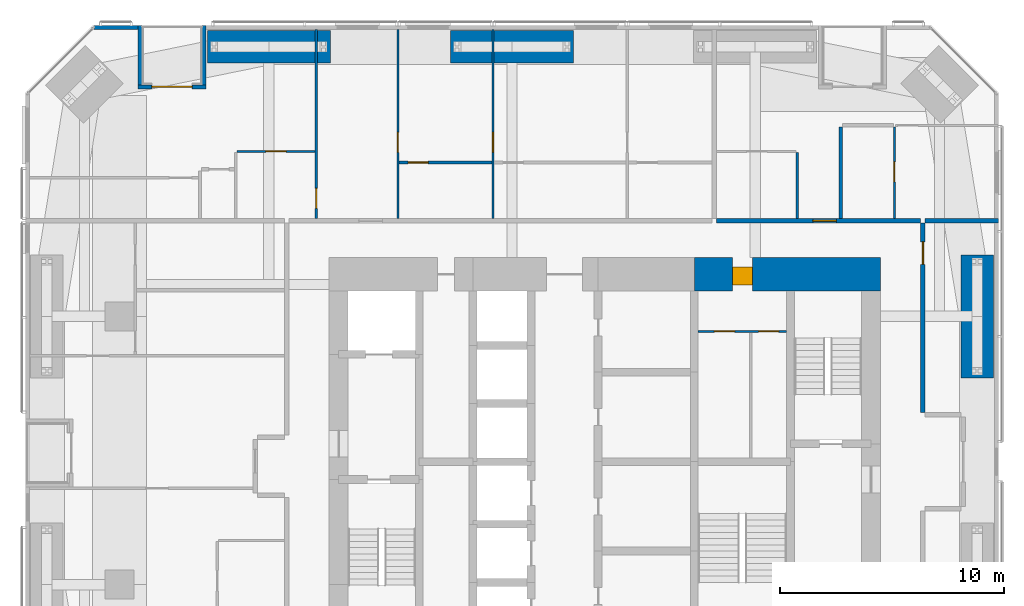
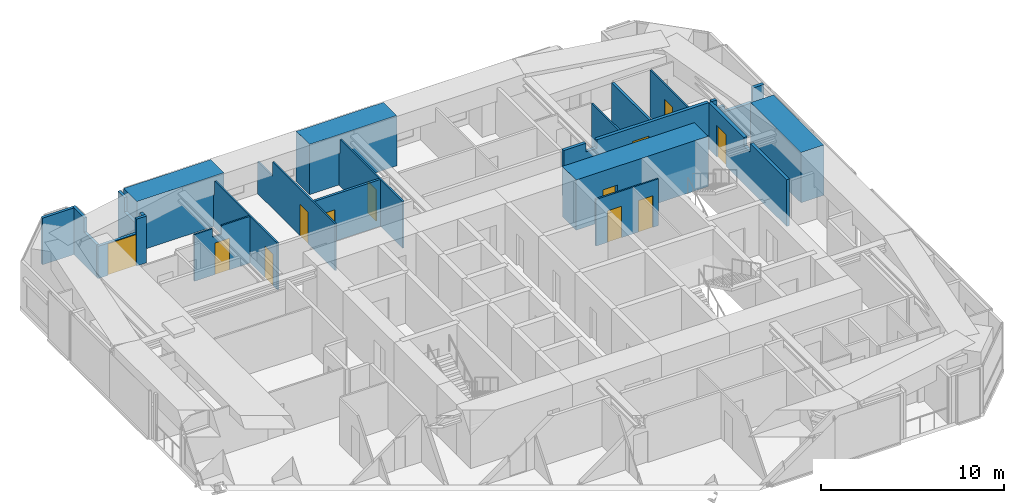
# One storey, part 21 of 23: 21 walls, 12 doors, 12 openings.
"""IFC4 building model written with IfcOpenShell, lengths in metres."""

from ifc_helpers import new_model, si_unit, direction, frame, frame_2d, origin, place, context, subcontext, project, spatial, polyline, rectangle, outline, extrude, material, layer, layer_set, constituent, constituent_set, type_object, element, fill, save


model = new_model("IFC4")

# Units and contexts
model_context = context("Model", 3, precision=1e-05, world=origin(), true_north=direction((0.0, 1.0)))
body_context = subcontext(model_context, "Body", "Model", "MODEL_VIEW")
ifc_project = project(units=[si_unit("LENGTHUNIT", "METRE"), si_unit("AREAUNIT", "SQUARE_METRE"), si_unit("VOLUMEUNIT", "CUBIC_METRE"), si_unit("PLANEANGLEUNIT", "RADIAN"), si_unit("MASSUNIT", "GRAM", prefix="KILO")], contexts=[model_context])

# Site, building, storey
site_placement = place(None, origin())
site = spatial("IfcSite", under=ifc_project, at=site_placement, CompositionType="ELEMENT")
building_placement = place(site_placement, origin())
building = spatial("IfcBuilding", under=site, at=building_placement, Name="Jalousie Tower", CompositionType="ELEMENT")
storey_placement = place(building_placement, frame((0.0, 0.0, 121.60009765625)))
storey = spatial("IfcBuildingStorey", under=building, at=storey_placement, Name="L33", CompositionType="ELEMENT", Elevation=121.60009765625)

# Wall, opening, door
ifc_material_1 = material(Name="Concrete block ASTM C90", Category="concrete")
ifc_constituent_1 = constituent(ifc_material_1, Name="Body")
ifc_material_2 = material(Name="Render")
ifc_constituent_2 = constituent(ifc_material_2, Name="Finish")
ifc_constituent_set_1 = constituent_set(constituents=[ifc_constituent_1, ifc_constituent_2])
wall_type_1 = type_object("IfcWallType", Name="BATHROOM WALL 150", PredefinedType="PLUMBINGWALL", material=ifc_constituent_set_1)
wall_1_placement = place(storey_placement, frame((22.699951171875, 31.875, 0.0), z_axis=(0.0, 0.0, 1.0), x_axis=(1.0, 0.0, 0.0)))
wall_1 = element("IfcWall", 1, at=wall_1_placement, inside=storey, type_object=wall_type_1, Name="Bathroom Wall 150 L33", PredefinedType="PLUMBINGWALL", context=body_context, shape_type="SweptSolid", body=[
    extrude(rectangle(XDim=4.150146484375, YDim=0.14990234375, at=frame_2d((2.0751953125, 0.0))), origin(), (0.0, 0.0, 1.0), 3.10986328125),
])
opening_1_placement = place(wall_1_placement, frame((0.39990234375, 0.0, 0.0)))
opening_1 = element("IfcOpeningElement", 2, at=opening_1_placement, cuts=wall_1, Name="Opening D3", PredefinedType="OPENING", context=body_context, shape_type="SweptSolid", body=[
    extrude(rectangle(XDim=0.89990234375, YDim=2.10009765625, at=frame_2d((0.449951171875, 1.050048828125))), frame((0.0, 0.0849609375, 0.0), z_axis=(0.0, -1.0, 0.0), x_axis=(1.0, 0.0, 0.0)), (0.0, 0.0, 1.0), 0.169921875),
])
ifc_material_3 = material(Name="Timber door", Category="wood")
door_type_1 = type_object("IfcDoorType", Name="BATHROOM DOOR 900", OperationType="SINGLE_SWING_LEFT", PredefinedType="DOOR", material=ifc_material_3)
door_1_placement = place(opening_1_placement, frame((0.89990234375, 0.0, 0.0), z_axis=(0.0, 0.0, 1.0), x_axis=(-1.0, 0.0, 0.0)))
door_1 = element("IfcDoor", 3, at=door_1_placement, inside=storey, type_object=door_type_1, Name="Apartment 3303 bedroom 1 bathroom door", OperationType="SINGLE_SWING_RIGHT", OverallHeight=2.10009765625, OverallWidth=0.89990234375, PredefinedType="DOOR", context=body_context, shape_type="SweptSolid", body=[
    extrude(rectangle(XDim=0.89990234375, YDim=2.10009765625, at=frame_2d((0.449951171875, 1.050048828125))), frame((0.0, 0.02490234375, 0.0), z_axis=(0.0, -1.0, 0.0), x_axis=(1.0, 0.0, 0.0)), (0.0, 0.0, 1.0), 0.050048828125),
])
fill(opening_1, door_1)

# Wall
wall_2_placement = place(storey_placement, frame((42.449951171875, 33.461181640625, 0.0), z_axis=(0.0, 0.0, 1.0), x_axis=(0.0, -1.0, 0.0)))
element("IfcWall", 4, at=wall_2_placement, inside=storey, type_object=wall_type_1, Name="Bathroom Wall 150 L33", PredefinedType="PLUMBINGWALL", context=body_context, shape_type="SweptSolid", body=[
    extrude(rectangle(XDim=4.086181640625, YDim=0.14990234375, at=frame_2d((2.04296875, 0.0))), origin(), (0.0, 0.0, 1.0), 3.10986328125),
])

# Wall, opening, door
ifc_material_4 = material(Name="Concrete f'c 120 MPa", Category="concrete")
ifc_layer_1 = layer(ifc_material_4, 1.5)
ifc_layer_set_1 = layer_set([ifc_layer_1], Name="Concrete f'c 120 MPa")
wall_type_2 = type_object("IfcWallType", Name="CORE WALL 1500", PredefinedType="SHEAR", material=ifc_layer_set_1)
wall_3_placement = place(storey_placement, frame((44.22509765625, 26.875, 0.0), z_axis=(0.0, 0.0, 1.0), x_axis=(-1.0, 0.0, 0.0)))
wall_3 = element("IfcWall", 5, at=wall_3_placement, inside=storey, type_object=wall_type_2, Name="Core wall NA L33", PredefinedType="SHEAR", context=body_context, shape_type="SweptSolid", body=[
    extrude(rectangle(XDim=8.3251953125, YDim=1.5, at=frame_2d((4.16259765625, 0.0))), origin(), (0.0, 0.0, 1.0), 3.349853515625),
])
opening_2_placement = place(wall_3_placement, frame((5.72509765625, 0.0, 0.0)))
opening_2 = element("IfcOpeningElement", 6, at=opening_2_placement, cuts=wall_3, Name="Opening D25", PredefinedType="OPENING", context=body_context, shape_type="SweptSolid", body=[
    extrude(rectangle(XDim=0.89990234375, YDim=2.10009765625, at=frame_2d((0.449951171875, 1.050048828125))), frame((0.0, 0.760009765625, 0.0), z_axis=(0.0, -1.0, 0.0), x_axis=(1.0, 0.0, 0.0)), (0.0, 0.0, 1.0), 1.52001953125),
])
ifc_material_5 = material(Name="Steel fire door", Category="steel")
door_type_2 = type_object("IfcDoorType", Name="SERVICE LOBBY DOOR 900", OperationType="SINGLE_SWING_LEFT", PredefinedType="DOOR", material=ifc_material_5)
door_2_placement = place(opening_2_placement, origin())
door_2 = element("IfcDoor", 7, at=door_2_placement, inside=storey, type_object=door_type_2, Name="Service lobby door", OperationType="SINGLE_SWING_LEFT", OverallHeight=2.10009765625, OverallWidth=0.89990234375, PredefinedType="DOOR", context=body_context, shape_type="SweptSolid", body=[
    extrude(rectangle(XDim=0.89990234375, YDim=2.10009765625, at=frame_2d((0.449951171875, 1.050048828125))), frame((0.0, 0.47021484375, 0.0), z_axis=(0.0, -1.0, 0.0), x_axis=(1.0, 0.0, 0.0)), (0.0, 0.0, 1.0), 0.800048828125),
])
fill(opening_2, door_2)

ifc_material_6 = material(Name="Concrete block ASTM C90", Category="concrete")
ifc_constituent_3 = constituent(ifc_material_6, Name="Body")
ifc_material_7 = material(Name="Render")
ifc_constituent_4 = constituent(ifc_material_7, Name="Finish")
ifc_constituent_set_2 = constituent_set(constituents=[ifc_constituent_3, ifc_constituent_4])
wall_type_3 = type_object("IfcWallType", Name="CORRIDOR WALL 200", PredefinedType="PARTITIONING", material=ifc_constituent_set_2)
wall_4_placement = place(storey_placement, frame((36.89990234375, 29.27490234375, 0.0), z_axis=(0.0, 0.0, 1.0), x_axis=(1.0, 0.0, 0.0)))
wall_4 = element("IfcWall", 8, at=wall_4_placement, inside=storey, type_object=wall_type_3, Name="Corridor Wall 200 L33", PredefinedType="PARTITIONING", context=body_context, shape_type="SweptSolid", body=[
    extrude(outline(polyline([(0.0, 0.0), (9.125, 0.0), (9.125, 3.10986328125), (2.0625, 3.10986328125), (2.0625, 2.541015625), (1.3876953125, 2.541015625), (1.3876953125, 3.10986328125), (0.0, 3.10986328125), (0.0, 0.0)])), frame((0.0, 0.10009765625, 0.0), z_axis=(0.0, -1.0, 0.0), x_axis=(1.0, 0.0, 0.0)), (0.0, 0.0, 1.0), 0.199951171875),
])
opening_3_placement = place(wall_4_placement, frame((4.300048828125, 0.0, 0.0)))
opening_3 = element("IfcOpeningElement", 9, at=opening_3_placement, cuts=wall_4, Name="Opening D1", PredefinedType="OPENING", context=body_context, shape_type="SweptSolid", body=[
    extrude(rectangle(XDim=1.050048828125, YDim=2.199951171875, at=frame_2d((0.52490234375, 1.10009765625))), frame((0.0, 0.10986328125, 0.0), z_axis=(0.0, -1.0, 0.0), x_axis=(1.0, 0.0, 0.0)), (0.0, 0.0, 1.0), 0.219970703125),
])
ifc_material_8 = material(Name="Timber fire door", Category="wood")
door_type_3 = type_object("IfcDoorType", Name="APARTMENT ENTRANCE DOOR 1050", OperationType="SINGLE_SWING_LEFT", PredefinedType="DOOR", material=ifc_material_8)
door_3_placement = place(opening_3_placement, origin())
door_3 = element("IfcDoor", 10, at=door_3_placement, inside=storey, type_object=door_type_3, Name="Apartment 3304 entrance", OperationType="SINGLE_SWING_RIGHT", OverallHeight=2.199951171875, OverallWidth=1.050048828125, PredefinedType="DOOR", context=body_context, shape_type="SweptSolid", body=[
    extrude(rectangle(XDim=1.050048828125, YDim=2.199951171875, at=frame_2d((0.52490234375, 1.10009765625))), frame((0.0, 0.02490234375, 0.0), z_axis=(0.0, -1.0, 0.0), x_axis=(1.0, 0.0, 0.0)), (0.0, 0.0, 1.0), 0.050048828125),
])
fill(opening_3, door_3)

wall_5_placement = place(storey_placement, frame((46.125, 20.699951171875, 0.0), z_axis=(0.0, 0.0, 1.0), x_axis=(0.0, 1.0, 0.0)))
wall_5 = element("IfcWall", 11, at=wall_5_placement, inside=storey, type_object=wall_type_3, Name="Corridor Wall 200 L33", PredefinedType="PARTITIONING", context=body_context, shape_type="SweptSolid", body=[
    extrude(outline(polyline([(0.0, 0.0), (8.47509765625, 0.0), (8.47509765625, 3.10986328125), (4.63720703125, 3.10986328125), (4.63720703125, 2.541015625), (3.962646484375, 2.541015625), (3.962646484375, 3.10986328125), (0.0, 3.10986328125), (0.0, 0.0)])), frame((0.0, 0.10009765625, 0.0), z_axis=(0.0, -1.0, 0.0), x_axis=(1.0, 0.0, 0.0)), (0.0, 0.0, 1.0), 0.199951171875),
])
opening_4_placement = place(wall_5_placement, frame((6.625, 0.0, 0.0)))
opening_4 = element("IfcOpeningElement", 12, at=opening_4_placement, cuts=wall_5, Name="Opening D21", PredefinedType="OPENING", context=body_context, shape_type="SweptSolid", body=[
    extrude(rectangle(XDim=1.0, YDim=2.10009765625, at=frame_2d((0.5, 1.050048828125))), frame((0.0, 0.10986328125, 0.0), z_axis=(0.0, -1.0, 0.0), x_axis=(1.0, 0.0, 0.0)), (0.0, 0.0, 1.0), 0.219970703125),
])
ifc_material_9 = material(Name="Timber fire door", Category="wood")
door_type_4 = type_object("IfcDoorType", Name="CORRIDOR DOOR 1000", OperationType="SINGLE_SWING_LEFT", PredefinedType="DOOR", material=ifc_material_9)
door_4_placement = place(opening_4_placement, frame((1.0, 0.0, 0.0), z_axis=(0.0, 0.0, 1.0), x_axis=(-1.0, 0.0, 0.0)))
door_4 = element("IfcDoor", 13, at=door_4_placement, inside=storey, type_object=door_type_4, Name="Lounge second door", OperationType="SINGLE_SWING_LEFT", OverallHeight=2.10009765625, OverallWidth=1.0, PredefinedType="DOOR", context=body_context, shape_type="SweptSolid", body=[
    extrude(rectangle(XDim=1.0, YDim=2.10009765625, at=frame_2d((0.5, 1.050048828125))), frame((0.0, 0.02490234375, 0.0), z_axis=(0.0, -1.0, 0.0), x_axis=(1.0, 0.0, 0.0)), (0.0, 0.0, 1.0), 0.050048828125),
])
fill(opening_4, door_4)

# Walls
ifc_material_10 = material(Name="Concrete f'c 40 MPa", Category="concrete")
ifc_constituent_5 = constituent(ifc_material_10, Name="Body")
ifc_material_11 = material(Name="Render, pastel sea green")
ifc_constituent_6 = constituent(ifc_material_11, Name="Finish")
ifc_constituent_set_3 = constituent_set(constituents=[ifc_constituent_5, ifc_constituent_6])
wall_type_4 = type_object("IfcWallType", Name="EXTERNAL WALL 175 SEA GREEN RENDER", PredefinedType="SOLIDWALL", material=ifc_constituent_set_3)
wall_6_placement = place(storey_placement, frame((11.02490234375, 37.91259765625, 0.0), z_axis=(0.0, 0.0, 1.0), x_axis=(-1.0, 0.0, 0.0)))
element("IfcWall", 14, at=wall_6_placement, inside=storey, type_object=wall_type_4, Name="External Wall 175 Sea Green Render L33", PredefinedType="SOLIDWALL", context=body_context, shape_type="SweptSolid", body=[
    extrude(rectangle(XDim=1.9736328125, YDim=0.175048828125, at=frame_2d((0.98681640625, 0.0))), origin(), (0.0, 0.0, 1.0), 3.10986328125),
])
wall_7_placement = place(storey_placement, frame((14.074951171875, 35.262451171875, 0.0), z_axis=(0.0, 0.0, 1.0), x_axis=(-1.0, 0.0, 0.0)))
element("IfcWall", 15, at=wall_7_placement, inside=storey, type_object=wall_type_4, Name="External Wall 175 Sea Green Render L33-A", PredefinedType="SOLIDWALL", context=body_context, shape_type="SweptSolid", body=[
    extrude(rectangle(XDim=0.625, YDim=0.175048828125, at=frame_2d((0.3125, 0.0))), origin(), (0.0, 0.0, 1.0), 3.10986328125),
])

# Wall, opening, door
wall_8_placement = place(storey_placement, frame((13.449951171875, 35.262451171875, 0.0), z_axis=(0.0, 0.0, 1.0), x_axis=(-1.0, 0.0, 0.0)))
wall_8 = element("IfcWall", 16, at=wall_8_placement, inside=storey, type_object=wall_type_4, Name="External Wall 175 Sea Green Render L33-B", PredefinedType="SOLIDWALL", context=body_context, shape_type="SweptSolid", body=[
    extrude(rectangle(XDim=2.425048828125, YDim=0.175048828125, at=frame_2d((1.21240234375, 0.0))), origin(), (0.0, 0.0, 1.0), 2.14990234375),
])
opening_5_placement = place(wall_8_placement, origin())
opening_5 = element("IfcOpeningElement", 17, at=opening_5_placement, cuts=wall_8, Name="Opening D-BAL21", PredefinedType="OPENING", context=body_context, shape_type="SweptSolid", body=[
    extrude(rectangle(XDim=1.800048828125, YDim=2.10009765625, at=frame_2d((0.89990234375, 1.050048828125))), frame((0.0, 0.097412109375, 0.0), z_axis=(0.0, -1.0, 0.0), x_axis=(1.0, 0.0, 0.0)), (0.0, 0.0, 1.0), 0.195068359375),
])
ifc_material_12 = material(Name="Aluminium frame, impact-rated glazing", Category="aluminium")
door_type_5 = type_object("IfcDoorType", Name="BALCONY DOOR 1800x2100", OperationType="SLIDING_TO_LEFT", PredefinedType="DOOR", material=ifc_material_12)
door_5_placement = place(opening_5_placement, origin())
door_5 = element("IfcDoor", 18, at=door_5_placement, inside=storey, type_object=door_type_5, Name="Apartment 3303 living and dining room loggia door", OperationType="SLIDING_TO_LEFT", OverallHeight=2.10009765625, OverallWidth=1.800048828125, PredefinedType="DOOR", context=body_context, shape_type="SweptSolid", body=[
    extrude(rectangle(XDim=1.800048828125, YDim=2.10009765625, at=frame_2d((0.89990234375, 1.050048828125))), frame((0.0, 0.02490234375, 0.0), z_axis=(0.0, -1.0, 0.0), x_axis=(1.0, 0.0, 0.0)), (0.0, 0.0, 1.0), 0.050048828125),
])
fill(opening_5, door_5)

# Walls
wall_9_placement = place(storey_placement, frame((13.987548828125, 38.0, 0.0), z_axis=(0.0, 0.0, 1.0), x_axis=(0.0, -1.0, 0.0)))
element("IfcWall", 19, at=wall_9_placement, inside=storey, type_object=wall_type_4, Name="External Wall 175 Sea Green Render L33", PredefinedType="SOLIDWALL", context=body_context, shape_type="SweptSolid", body=[
    extrude(outline(polyline([(0.0, 0.0), (2.64990234375, 0.0), (2.64990234375, 3.10986328125), (2.373291015625, 3.10986328125), (2.373291015625, 2.14990234375), (0.70458984375, 2.14990234375), (0.70458984375, 3.10986328125), (0.0, 3.10986328125), (0.0, 0.0)])), frame((0.0, 0.08740234375, 0.0), z_axis=(0.0, -1.0, 0.0), x_axis=(1.0, 0.0, 0.0)), (0.0, 0.0, 1.0), 0.175048828125),
])
wall_10_placement = place(storey_placement, frame((11.112548828125, 38.0, 0.0), z_axis=(0.0, 0.0, 1.0), x_axis=(0.0, -1.0, 0.0)))
element("IfcWall", 20, at=wall_10_placement, inside=storey, type_object=wall_type_4, Name="External Wall 175 Sea Green Render L33", PredefinedType="SOLIDWALL", context=body_context, shape_type="SweptSolid", body=[
    extrude(outline(polyline([(0.0, 0.0), (2.64990234375, 0.0), (2.64990234375, 2.14990234375), (1.291015625, 2.14990234375), (1.291015625, 3.10986328125), (0.0, 3.10986328125), (0.0, 0.0)])), frame((0.0, 0.08740234375, 0.0), z_axis=(0.0, -1.0, 0.0), x_axis=(1.0, 0.0, 0.0)), (0.0, 0.0, 1.0), 0.175048828125),
])

# Wall, opening, door
ifc_material_13 = material(Name="Gypsum board", Category="gypsum")
ifc_constituent_7 = constituent(ifc_material_13, Name="Body")
ifc_material_14 = material(Name="Light-gauge steel studs ASTM A653 SS Grade 33", Category="steel")
ifc_constituent_8 = constituent(ifc_material_14, Name="Framing")
ifc_constituent_set_4 = constituent_set(constituents=[ifc_constituent_7, ifc_constituent_8])
wall_type_5 = type_object("IfcWallType", Name="PARTITION 100", PredefinedType="PARTITIONING", material=ifc_constituent_set_4)
wall_11_placement = place(storey_placement, frame((22.64990234375, 37.824951171875, 0.0), z_axis=(0.0, 0.0, 1.0), x_axis=(0.0, -1.0, 0.0)))
wall_11 = element("IfcWall", 21, at=wall_11_placement, inside=storey, type_object=wall_type_5, Name="Partition 100 L33", PredefinedType="PARTITIONING", context=body_context, shape_type="SweptSolid", body=[
    extrude(outline(polyline([(0.0, 0.0), (8.449951171875, 0.0), (8.449951171875, 3.10986328125), (1.635009765625, 3.10986328125), (1.635009765625, 2.14990234375), (0.0, 2.14990234375), (0.0, 3.10986328125), (0.0, 0.0)])), frame((0.0, 0.050048828125, 0.0), z_axis=(0.0, -1.0, 0.0), x_axis=(1.0, 0.0, 0.0)), (0.0, 0.0, 1.0), 0.10009765625),
])
opening_6_placement = place(wall_11_placement, frame((4.60009765625, 0.0, 0.0)))
opening_6 = element("IfcOpeningElement", 22, at=opening_6_placement, cuts=wall_11, Name="Opening D2", PredefinedType="OPENING", context=body_context, shape_type="SweptSolid", body=[
    extrude(rectangle(XDim=0.89990234375, YDim=2.10009765625, at=frame_2d((0.449951171875, 1.050048828125))), frame((0.0, 0.06005859375, 0.0), z_axis=(0.0, -1.0, 0.0), x_axis=(1.0, 0.0, 0.0)), (0.0, 0.0, 1.0), 0.1201171875),
])
ifc_material_15 = material(Name="Timber door", Category="wood")
door_type_6 = type_object("IfcDoorType", Name="BEDROOM DOOR 900", OperationType="SINGLE_SWING_LEFT", PredefinedType="DOOR", material=ifc_material_15)
door_6_placement = place(opening_6_placement, origin())
door_6 = element("IfcDoor", 23, at=door_6_placement, inside=storey, type_object=door_type_6, Name="Apartment 3303 bedroom 1 door", OperationType="SINGLE_SWING_RIGHT", OverallHeight=2.10009765625, OverallWidth=0.89990234375, PredefinedType="DOOR", context=body_context, shape_type="SweptSolid", body=[
    extrude(rectangle(XDim=0.89990234375, YDim=2.10009765625, at=frame_2d((0.449951171875, 1.050048828125))), frame((0.0, 0.02490234375, 0.0), z_axis=(0.0, -1.0, 0.0), x_axis=(1.0, 0.0, 0.0)), (0.0, 0.0, 1.0), 0.050048828125),
])
fill(opening_6, door_6)

wall_12_placement = place(storey_placement, frame((26.89990234375, 37.824951171875, 0.0), z_axis=(0.0, 0.0, 1.0), x_axis=(0.0, -1.0, 0.0)))
wall_12 = element("IfcWall", 24, at=wall_12_placement, inside=storey, type_object=wall_type_5, Name="Partition 100 L33", PredefinedType="PARTITIONING", context=body_context, shape_type="SweptSolid", body=[
    extrude(outline(polyline([(0.52880859375, 2.14990234375), (0.0, 2.14990234375), (0.0, 0.0), (0.52880859375, 0.0), (0.52880859375, 0.888671875), (1.021240234375, 0.888671875), (1.021240234375, 0.0), (8.449951171875, 0.0), (8.449951171875, 3.10986328125), (1.635009765625, 3.10986328125), (1.635009765625, 2.14990234375), (1.021240234375, 2.14990234375), (1.021240234375, 1.260986328125), (0.52880859375, 1.260986328125), (0.52880859375, 2.14990234375)])), frame((0.0, 0.050048828125, 0.0), z_axis=(0.0, -1.0, 0.0), x_axis=(1.0, 0.0, 0.0)), (0.0, 0.0, 1.0), 0.10009765625),
])
opening_7_placement = place(wall_12_placement, frame((4.60009765625, 0.0, 0.0)))
opening_7 = element("IfcOpeningElement", 25, at=opening_7_placement, cuts=wall_12, Name="Opening D2", PredefinedType="OPENING", context=body_context, shape_type="SweptSolid", body=[
    extrude(rectangle(XDim=0.89990234375, YDim=2.10009765625, at=frame_2d((0.449951171875, 1.050048828125))), frame((0.0, 0.06005859375, 0.0), z_axis=(0.0, -1.0, 0.0), x_axis=(1.0, 0.0, 0.0)), (0.0, 0.0, 1.0), 0.1201171875),
])
door_7_placement = place(opening_7_placement, origin())
door_7 = element("IfcDoor", 26, at=door_7_placement, inside=storey, type_object=door_type_6, Name="Apartment 3303 bedroom 2 door", OperationType="SINGLE_SWING_RIGHT", OverallHeight=2.10009765625, OverallWidth=0.89990234375, PredefinedType="DOOR", context=body_context, shape_type="SweptSolid", body=[
    extrude(rectangle(XDim=0.89990234375, YDim=2.10009765625, at=frame_2d((0.449951171875, 1.050048828125))), frame((0.0, 0.02490234375, 0.0), z_axis=(0.0, -1.0, 0.0), x_axis=(1.0, 0.0, 0.0)), (0.0, 0.0, 1.0), 0.050048828125),
])
fill(opening_7, door_7)

wall_13_placement = place(storey_placement, frame((19.0, 37.824951171875, 0.0), z_axis=(0.0, 0.0, 1.0), x_axis=(0.0, -1.0, 0.0)))
wall_13 = element("IfcWall", 27, at=wall_13_placement, inside=storey, type_object=wall_type_5, Name="Partition 100 L33", PredefinedType="PARTITIONING", context=body_context, shape_type="SweptSolid", body=[
    extrude(outline(polyline([(0.52880859375, 2.14990234375), (0.0, 2.14990234375), (0.0, 0.0), (0.52880859375, 0.0), (0.52880859375, 0.01708984375), (1.021240234375, 0.01708984375), (1.021240234375, 0.0), (8.449951171875, 0.0), (8.449951171875, 3.10986328125), (1.635009765625, 3.10986328125), (1.635009765625, 2.14990234375), (1.021240234375, 2.14990234375), (1.021240234375, 2.1328125), (0.52880859375, 2.1328125), (0.52880859375, 2.14990234375)])), frame((0.0, 0.050048828125, 0.0), z_axis=(0.0, -1.0, 0.0), x_axis=(1.0, 0.0, 0.0)), (0.0, 0.0, 1.0), 0.10009765625),
])
opening_8_placement = place(wall_13_placement, frame((7.10009765625, 0.0, 0.0)))
opening_8 = element("IfcOpeningElement", 28, at=opening_8_placement, cuts=wall_13, Name="Opening D2", PredefinedType="OPENING", context=body_context, shape_type="SweptSolid", body=[
    extrude(rectangle(XDim=0.89990234375, YDim=2.10009765625, at=frame_2d((0.449951171875, 1.050048828125))), frame((0.0, 0.06005859375, 0.0), z_axis=(0.0, -1.0, 0.0), x_axis=(1.0, 0.0, 0.0)), (0.0, 0.0, 1.0), 0.1201171875),
])
door_8_placement = place(opening_8_placement, origin())
door_8 = element("IfcDoor", 29, at=door_8_placement, inside=storey, type_object=door_type_6, Name="Apartment 3303 study door", OperationType="SINGLE_SWING_RIGHT", OverallHeight=2.10009765625, OverallWidth=0.89990234375, PredefinedType="DOOR", context=body_context, shape_type="SweptSolid", body=[
    extrude(rectangle(XDim=0.89990234375, YDim=2.10009765625, at=frame_2d((0.449951171875, 1.050048828125))), frame((0.0, 0.02490234375, 0.0), z_axis=(0.0, -1.0, 0.0), x_axis=(1.0, 0.0, 0.0)), (0.0, 0.0, 1.0), 0.050048828125),
])
fill(opening_8, door_8)

wall_14_placement = place(storey_placement, frame((15.449951171875, 32.375, 0.0), z_axis=(0.0, 0.0, 1.0), x_axis=(1.0, 0.0, 0.0)))
wall_14 = element("IfcWall", 30, at=wall_14_placement, inside=storey, type_object=wall_type_5, Name="Partition 100 L33", PredefinedType="PARTITIONING", context=body_context, shape_type="SweptSolid", body=[
    extrude(outline(polyline([(0.0, 0.0), (3.5, 0.0), (3.5, 3.10986328125), (1.71240234375, 3.10986328125), (1.71240234375, 2.541015625), (1.1376953125, 2.541015625), (1.1376953125, 3.10986328125), (0.0, 3.10986328125), (0.0, 0.0)])), frame((0.0, 0.050048828125, 0.0), z_axis=(0.0, -1.0, 0.0), x_axis=(1.0, 0.0, 0.0)), (0.0, 0.0, 1.0), 0.10009765625),
])
opening_9_placement = place(wall_14_placement, frame((1.300048828125, 0.0, 0.0)))
opening_9 = element("IfcOpeningElement", 31, at=opening_9_placement, cuts=wall_14, Name="Opening D7", PredefinedType="OPENING", context=body_context, shape_type="SweptSolid", body=[
    extrude(rectangle(XDim=0.89990234375, YDim=2.10009765625, at=frame_2d((0.449951171875, 1.050048828125))), frame((0.0, 0.06005859375, 0.0), z_axis=(0.0, -1.0, 0.0), x_axis=(1.0, 0.0, 0.0)), (0.0, 0.0, 1.0), 0.1201171875),
])
ifc_material_16 = material(Name="Timber door", Category="wood")
door_type_7 = type_object("IfcDoorType", Name="INTERNAL DOOR 900", OperationType="SINGLE_SWING_LEFT", PredefinedType="DOOR", material=ifc_material_16)
door_9_placement = place(opening_9_placement, origin())
door_9 = element("IfcDoor", 32, at=door_9_placement, inside=storey, type_object=door_type_7, Name="Apartment 3303 kitchen door", OperationType="SINGLE_SWING_RIGHT", OverallHeight=2.10009765625, OverallWidth=0.89990234375, PredefinedType="DOOR", context=body_context, shape_type="SweptSolid", body=[
    extrude(rectangle(XDim=0.89990234375, YDim=2.10009765625, at=frame_2d((0.449951171875, 1.050048828125))), frame((0.0, 0.02490234375, 0.0), z_axis=(0.0, -1.0, 0.0), x_axis=(1.0, 0.0, 0.0)), (0.0, 0.0, 1.0), 0.050048828125),
])
fill(opening_9, door_9)

wall_15_placement = place(storey_placement, frame((44.85009765625, 33.461181640625, 0.0), z_axis=(0.0, 0.0, 1.0), x_axis=(0.0, -1.0, 0.0)))
wall_15 = element("IfcWall", 33, at=wall_15_placement, inside=storey, type_object=wall_type_5, Name="Partition 100 L33", PredefinedType="PARTITIONING", context=body_context, shape_type="SweptSolid", body=[
    extrude(rectangle(XDim=4.086181640625, YDim=0.10009765625, at=frame_2d((2.04296875, 0.0))), origin(), (0.0, 0.0, 1.0), 3.10986328125),
])
opening_10_placement = place(wall_15_placement, frame((1.5556640625, 0.0, 0.0)))
opening_10 = element("IfcOpeningElement", 34, at=opening_10_placement, cuts=wall_15, Name="Opening D3", PredefinedType="OPENING", context=body_context, shape_type="SweptSolid", body=[
    extrude(rectangle(XDim=0.89990234375, YDim=2.10009765625, at=frame_2d((0.449951171875, 1.050048828125))), frame((0.0, 0.06005859375, 0.0), z_axis=(0.0, -1.0, 0.0), x_axis=(1.0, 0.0, 0.0)), (0.0, 0.0, 1.0), 0.1201171875),
])
door_10_placement = place(opening_10_placement, frame((0.89990234375, 0.0, 0.0), z_axis=(0.0, 0.0, 1.0), x_axis=(-1.0, 0.0, 0.0)))
door_10 = element("IfcDoor", 35, at=door_10_placement, inside=storey, type_object=door_type_1, Name="Apartment 3304 bedroom 1 bathroom door", OperationType="SINGLE_SWING_RIGHT", OverallHeight=2.10009765625, OverallWidth=0.89990234375, PredefinedType="DOOR", context=body_context, shape_type="SweptSolid", body=[
    extrude(rectangle(XDim=0.89990234375, YDim=2.10009765625, at=frame_2d((0.449951171875, 1.050048828125))), frame((0.0, 0.02490234375, 0.0), z_axis=(0.0, -1.0, 0.0), x_axis=(1.0, 0.0, 0.0)), (0.0, 0.0, 1.0), 0.050048828125),
])
fill(opening_10, door_10)

# Wall
wall_16_placement = place(storey_placement, frame((40.5, 32.324951171875, 0.0), z_axis=(0.0, 0.0, 1.0), x_axis=(0.0, -1.0, 0.0)))
element("IfcWall", 36, at=wall_16_placement, inside=storey, type_object=wall_type_5, Name="Partition 100 L33", PredefinedType="PARTITIONING", context=body_context, shape_type="SweptSolid", body=[
    extrude(rectangle(XDim=2.949951171875, YDim=0.10009765625, at=frame_2d((1.47509765625, 0.0))), origin(), (0.0, 0.0, 1.0), 3.10986328125),
])

# Wall, openings, doors
wall_17_placement = place(storey_placement, frame((36.074951171875, 24.324951171875, 0.0), z_axis=(0.0, 0.0, 1.0), x_axis=(1.0, 0.0, 0.0)))
wall_17 = element("IfcWall", 37, at=wall_17_placement, inside=storey, type_object=wall_type_5, Name="Partition 100 L33", PredefinedType="PARTITIONING", context=body_context, shape_type="SweptSolid", body=[
    extrude(rectangle(XDim=3.949951171875, YDim=0.10009765625, at=frame_2d((1.97509765625, 0.0))), origin(), (0.0, 0.0, 1.0), 3.10986328125),
])
opening_11_placement = place(wall_17_placement, frame((0.72509765625, 0.0, 0.0)))
opening_11 = element("IfcOpeningElement", 38, at=opening_11_placement, cuts=wall_17, Name="Opening D7", PredefinedType="OPENING", context=body_context, shape_type="SweptSolid", body=[
    extrude(rectangle(XDim=0.89990234375, YDim=2.10009765625, at=frame_2d((0.449951171875, 1.050048828125))), frame((0.0, 0.06005859375, 0.0), z_axis=(0.0, -1.0, 0.0), x_axis=(1.0, 0.0, 0.0)), (0.0, 0.0, 1.0), 0.1201171875),
])
opening_12_placement = place(wall_17_placement, frame((2.699951171875, 0.0, 0.0)))
opening_12 = element("IfcOpeningElement", 39, at=opening_12_placement, cuts=wall_17, Name="Opening D7", PredefinedType="OPENING", context=body_context, shape_type="SweptSolid", body=[
    extrude(rectangle(XDim=0.89990234375, YDim=2.10009765625, at=frame_2d((0.449951171875, 1.050048828125))), frame((0.0, 0.06005859375, 0.0), z_axis=(0.0, -1.0, 0.0), x_axis=(1.0, 0.0, 0.0)), (0.0, 0.0, 1.0), 0.1201171875),
])
door_11_placement = place(opening_11_placement, frame((0.89990234375, 0.0, 0.0), z_axis=(0.0, 0.0, 1.0), x_axis=(-1.0, 0.0, 0.0)))
door_11 = element("IfcDoor", 40, at=door_11_placement, inside=storey, type_object=door_type_7, Name="IT room door", OperationType="SINGLE_SWING_LEFT", OverallHeight=2.10009765625, OverallWidth=0.89990234375, PredefinedType="DOOR", context=body_context, shape_type="SweptSolid", body=[
    extrude(rectangle(XDim=0.89990234375, YDim=2.10009765625, at=frame_2d((0.449951171875, 1.050048828125))), frame((0.0, 0.02490234375, 0.0), z_axis=(0.0, -1.0, 0.0), x_axis=(1.0, 0.0, 0.0)), (0.0, 0.0, 1.0), 0.050048828125),
])
fill(opening_11, door_11)
door_12_placement = place(opening_12_placement, frame((0.89990234375, 0.0, 0.0), z_axis=(0.0, 0.0, 1.0), x_axis=(-1.0, 0.0, 0.0)))
door_12 = element("IfcDoor", 41, at=door_12_placement, inside=storey, type_object=door_type_7, Name="Staff WC door", OperationType="SINGLE_SWING_RIGHT", OverallHeight=2.10009765625, OverallWidth=0.89990234375, PredefinedType="DOOR", context=body_context, shape_type="SweptSolid", body=[
    extrude(rectangle(XDim=0.89990234375, YDim=2.10009765625, at=frame_2d((0.449951171875, 1.050048828125))), frame((0.0, 0.02490234375, 0.0), z_axis=(0.0, -1.0, 0.0), x_axis=(1.0, 0.0, 0.0)), (0.0, 0.0, 1.0), 0.050048828125),
])
fill(opening_12, door_12)

# Walls
ifc_material_17 = material(Name="Concrete block ASTM C90", Category="concrete")
ifc_constituent_9 = constituent(ifc_material_17, Name="Body")
ifc_material_18 = material(Name="Render")
ifc_constituent_10 = constituent(ifc_material_18, Name="Finish")
ifc_constituent_set_5 = constituent_set(constituents=[ifc_constituent_9, ifc_constituent_10])
wall_type_6 = type_object("IfcWallType", Name="PARTY WALL 200", PredefinedType="PARTITIONING", material=ifc_constituent_set_5)
wall_18_placement = place(storey_placement, frame((46.22509765625, 29.27490234375, 0.0), z_axis=(0.0, 0.0, 1.0), x_axis=(1.0, 0.0, 0.0)))
element("IfcWall", 42, at=wall_18_placement, inside=storey, type_object=wall_type_6, Name="Party Wall 200 L33", PredefinedType="PARTITIONING", context=body_context, shape_type="SweptSolid", body=[
    extrude(outline(polyline([(0.0, 0.0), (3.27490234375, 0.0), (3.27490234375, 3.10986328125), (2.5537109375, 3.10986328125), (2.5537109375, 2.14990234375), (0.80517578125, 2.14990234375), (0.80517578125, 2.541015625), (0.30615234375, 2.541015625), (0.30615234375, 3.10986328125), (0.0, 3.10986328125), (0.0, 0.0)])), frame((0.0, 0.10009765625, 0.0), z_axis=(0.0, -1.0, 0.0), x_axis=(1.0, 0.0, 0.0)), (0.0, 0.0, 1.0), 0.199951171875),
])
ifc_material_19 = material(Name="Concrete f'c 120 MPa", Category="concrete")
ifc_layer_2 = layer(ifc_material_19, 1.449951171875)
ifc_layer_set_2 = layer_set([ifc_layer_2], Name="Concrete f'c 120 MPa")
wall_type_7 = type_object("IfcWallType", Name="RC WALL PIER 1450", PredefinedType="SHEAR", material=ifc_layer_set_2)
for number, where, z_axis, x_axis, name in (
    (43, (48.550048828125, 22.25, 0.0), (0.0, 0.0, 1.0), (0.0, 1.0, 0.0), "Wall pier 07 L33"),
    (44, (25.0, 37.050048828125, 0.0), (0.0, 0.0, 1.0), (1.0, 0.0, 0.0), "Wall pier 10 L33"),
    (45, (14.125, 37.050048828125, 0.0), (0.0, 0.0, 1.0), (1.0, 0.0, 0.0), "Wall pier 11 L33"),
):
    element("IfcWall", number, at=place(storey_placement, frame(where, z_axis=z_axis, x_axis=x_axis)), inside=storey, type_object=wall_type_7, Name=name, PredefinedType="SHEAR", context=body_context, shape_type="SweptSolid", body=[
        extrude(rectangle(XDim=5.5, YDim=1.449951171875, at=frame_2d((2.75, 0.0))), origin(), (0.0, 0.0, 1.0), 3.349853515625),
    ])

save(model, "model.ifc")
